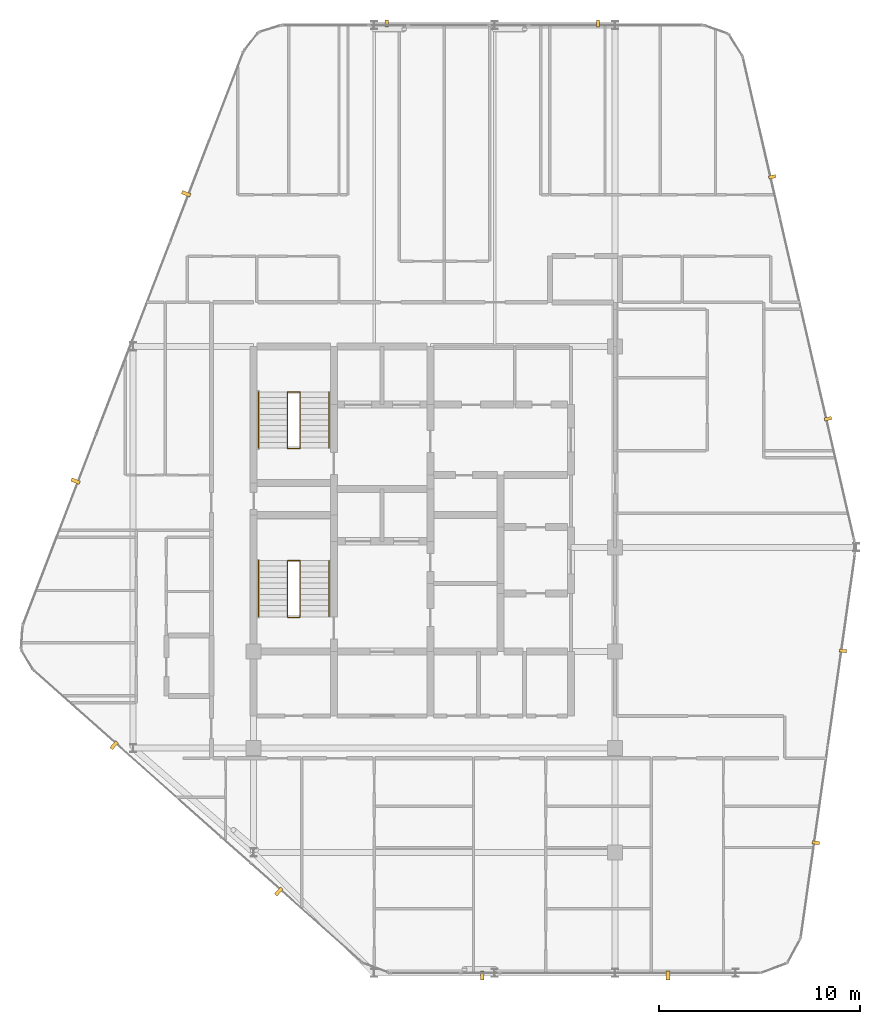
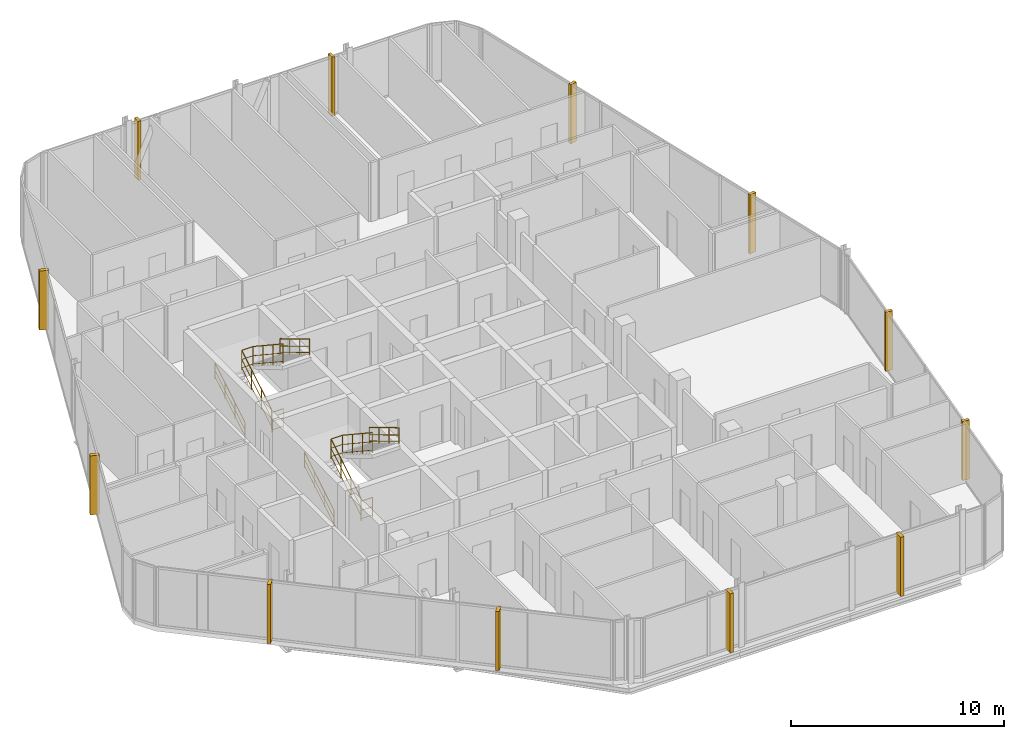
# One storey, part 28 of 28: 12 coverings, 8 railings.
"""IFC4 building model written with IfcOpenShell, lengths in metres."""

from ifc_helpers import new_model, si_unit, direction, frame, origin, origin_2d, place, context, subcontext, project, spatial, rectangle, circle, extrude, material, layer, layer_set, type_object, element, save


model = new_model("IFC4")

# Units and contexts
model_context = context("Model", 3, precision=1e-05, world=origin(), true_north=direction((0.0, 1.0)))
body_context = subcontext(model_context, "Body", "Model", "MODEL_VIEW")
ifc_project = project(units=[si_unit("LENGTHUNIT", "METRE"), si_unit("AREAUNIT", "SQUARE_METRE"), si_unit("VOLUMEUNIT", "CUBIC_METRE"), si_unit("PLANEANGLEUNIT", "RADIAN"), si_unit("MASSUNIT", "GRAM", prefix="KILO")], contexts=[model_context])

# Site, building, storey
site_placement = place(None, origin())
site = spatial("IfcSite", under=ifc_project, at=site_placement, CompositionType="ELEMENT")
building_placement = place(site_placement, origin())
building = spatial("IfcBuilding", under=site, at=building_placement, Name="Keshet Zoharim Tower", CompositionType="ELEMENT")
storey_placement = place(building_placement, frame((0.0, 0.0, 258.39990234375)))
storey = spatial("IfcBuildingStorey", under=building, at=storey_placement, Name="L64", CompositionType="ELEMENT", Elevation=258.39990234375)

# Coverings
ifc_material_1 = material(Name="Concrete C50/60 precast", Category="concrete")
covering_type_1 = type_object("IfcCoveringType", Name="FIN-SOL-360", PredefinedType="CLADDING", material=ifc_material_1)
for number, where, z_axis, x_axis, name in (
    (1, (21.633056640625, 53.97998046875, 0.0), (0.0, 0.0, 1.0), (1.0, 0.0, 0.0), "L64 Vertical Precast Solar Fin 03"),
    (2, (32.14990234375, 53.97998046875, 0.0), (0.0, 0.0, 1.0), (1.0, 0.0, 0.0), "L64 Vertical Precast Solar Fin 04"),
    (3, (40.824951171875, 46.345947265625, 0.0), (0.0, 0.0, 1.0), (0.224829963294, -0.974398012932, 0.0), "L64 Vertical Precast Solar Fin 05"),
    (4, (43.60400390625, 34.302001953125, 0.0), (0.0, 0.0, 1.0), (0.224829963294, -0.974398012932, 0.0), "L64 Vertical Precast Solar Fin 06"),
    (5, (44.35107421875, 22.742919921875, 0.0), (0.0, 0.0, 1.0), (-0.140137464177, -0.990132057422, 0.0), "L64 Vertical Precast Solar Fin 07"),
    (6, (42.998046875, 13.18701171875, 0.0), (0.0, 0.0, 1.0), (-0.140137464177, -0.990132057422, 0.0), "L64 Vertical Precast Solar Fin 08"),
):
    element("IfcCovering", number, at=place(storey_placement, frame(where, z_axis=z_axis, x_axis=x_axis)), inside=storey, type_object=covering_type_1, Name=name, PredefinedType="CLADDING", context=body_context, shape_type="SweptSolid", body=[
        extrude(rectangle(XDim=0.159912109375, YDim=0.360107421875, at=origin_2d()), origin(), (0.0, 0.0, 1.0), 3.389892578125),
    ])
covering_type_2 = type_object("IfcCoveringType", Name="FIN-SOL-450", PredefinedType="CLADDING", material=ifc_material_1)
for number, where, z_axis, x_axis, name in (
    (7, (6.133056640625, 31.194091796875, 0.0), (0.0, 0.0, 1.0), (0.358990003907, 0.933341404361, 0.0), "L64 Vertical Precast Solar Fin 01"),
    (8, (11.637939453125, 45.507080078125, 0.0), (0.0, 0.0, 1.0), (0.358990003907, 0.933341404361, 0.0), "L64 Vertical Precast Solar Fin 02"),
    (9, (35.636962890625, 6.574951171875, 0.0), (0.0, 0.0, 1.0), (-1.0, 0.0, 0.0), "L64 Vertical Precast Solar Fin 09"),
    (10, (26.385986328125, 6.574951171875, 0.0), (0.0, 0.0, 1.0), (-1.0, 0.0, 0.0), "L64 Vertical Precast Solar Fin 10"),
    (11, (16.25, 10.7548828125, 0.0), (0.0, 0.0, 1.0), (-0.747411833563, 0.66436100958, 0.0), "L64 Vertical Precast Solar Fin 11"),
    (12, (8.051025390625, 18.04296875, 0.0), (0.0, 0.0, 1.0), (-0.747411833563, 0.66436100958, 0.0), "L64 Vertical Precast Solar Fin 12"),
):
    element("IfcCovering", number, at=place(storey_placement, frame(where, z_axis=z_axis, x_axis=x_axis)), inside=storey, type_object=covering_type_2, Name=name, PredefinedType="CLADDING", context=body_context, shape_type="SweptSolid", body=[
        extrude(rectangle(XDim=0.179931640625, YDim=0.449951171875, at=origin_2d()), origin(), (0.0, 0.0, 1.0), 3.389892578125),
    ])

# Railings
ifc_material_2 = material(Name="Steel S355", Category="steel")
ifc_layer_1 = layer(ifc_material_2, 0.050048828125)
ifc_layer_set_1 = layer_set([ifc_layer_1], Name="Steel S355")
railing_type_1 = type_object("IfcRailingType", Name="RL-HND-092", PredefinedType="HANDRAIL", material=ifc_layer_set_1)
railing_1_placement = place(storey_placement, frame((15.239990234375, 24.43994140625, 0.168212890625)))
element("IfcRailing", 13, at=railing_1_placement, inside=storey, type_object=railing_type_1, Name="L64 ST-01 Flight 1 Wall Handrail", PredefinedType="HANDRAIL", context=body_context, shape_type="SweptSolid", body=[
    extrude(circle(Radius=0.02392578125, at=origin_2d()), frame((0.0, 0.0, 0.89599609375), z_axis=(0.0, 0.857242210791, 0.514913383045), x_axis=(-1.0, 0.0, 0.0)), (0.0, 0.0, 1.0), 3.266357421875),
    extrude(circle(Radius=0.01611328125, at=origin_2d()), frame((0.0, 0.0, 0.478271484375), z_axis=(0.0, 0.857242210791, 0.514913383045), x_axis=(-1.0, 0.0, 0.0)), (0.0, 0.0, 1.0), 3.266357421875),
    extrude(circle(Radius=0.01611328125, at=origin_2d()), frame((0.0, 0.0, 0.1201171875), z_axis=(0.0, 0.857242210791, 0.514913383045), x_axis=(-1.0, 0.0, 0.0)), (0.0, 0.0, 1.0), 3.266357421875),
    extrude(circle(Radius=0.02099609375, at=origin_2d()), origin(), (0.0, 0.0, 1.0), 0.871826171875),
    extrude(circle(Radius=0.02099609375, at=origin_2d()), frame((0.0, 0.933349609375, 0.560546875)), (0.0, 0.0, 1.0), 0.871826171875),
    extrude(circle(Radius=0.02099609375, at=origin_2d()), frame((0.0, 1.86669921875, 1.121337890625)), (0.0, 0.0, 1.0), 0.871826171875),
    extrude(circle(Radius=0.02099609375, at=origin_2d()), frame((0.0, 2.800048828125, 1.681884765625)), (0.0, 0.0, 1.0), 0.871826171875),
])
railing_2_placement = place(storey_placement, frame((18.760009765625, 27.239990234375, 2.018310546875)))
element("IfcRailing", 14, at=railing_2_placement, inside=storey, type_object=railing_type_1, Name="L64 ST-01 Flight 2 Wall Handrail", PredefinedType="HANDRAIL", context=body_context, shape_type="SweptSolid", body=[
    extrude(circle(Radius=0.02392578125, at=origin_2d()), frame((0.0, 0.0, 0.89599609375), z_axis=(0.0, -0.857242210791, 0.514913383045), x_axis=(1.0, 0.0, 0.0)), (0.0, 0.0, 1.0), 3.266357421875),
    extrude(circle(Radius=0.01611328125, at=origin_2d()), frame((0.0, 0.0, 0.478271484375), z_axis=(0.0, -0.857242210791, 0.514913383045), x_axis=(1.0, 0.0, 0.0)), (0.0, 0.0, 1.0), 3.266357421875),
    extrude(circle(Radius=0.01611328125, at=origin_2d()), frame((0.0, 0.0, 0.1201171875), z_axis=(0.0, -0.857242210791, 0.514913383045), x_axis=(1.0, 0.0, 0.0)), (0.0, 0.0, 1.0), 3.266357421875),
    extrude(circle(Radius=0.02099609375, at=origin_2d()), origin(), (0.0, 0.0, 1.0), 0.871826171875),
    extrude(circle(Radius=0.02099609375, at=origin_2d()), frame((0.0, -0.933349609375, 0.560546875)), (0.0, 0.0, 1.0), 0.871826171875),
    extrude(circle(Radius=0.02099609375, at=origin_2d()), frame((0.0, -1.86669921875, 1.121337890625)), (0.0, 0.0, 1.0), 0.871826171875),
    extrude(circle(Radius=0.02099609375, at=origin_2d()), frame((0.0, -2.800048828125, 1.681884765625)), (0.0, 0.0, 1.0), 0.871826171875),
])
railing_3_placement = place(storey_placement, frame((15.239990234375, 32.840087890625, 0.168212890625)))
element("IfcRailing", 15, at=railing_3_placement, inside=storey, type_object=railing_type_1, Name="L64 ST-02 Flight 1 Wall Handrail", PredefinedType="HANDRAIL", context=body_context, shape_type="SweptSolid", body=[
    extrude(circle(Radius=0.02392578125, at=origin_2d()), frame((0.0, 0.0, 0.89599609375), z_axis=(0.0, 0.857222391501, 0.514946377315), x_axis=(-1.0, 0.0, 0.0)), (0.0, 0.0, 1.0), 3.26611328125),
    extrude(circle(Radius=0.01611328125, at=origin_2d()), frame((0.0, 0.0, 0.478271484375), z_axis=(0.0, 0.857222391501, 0.514946377315), x_axis=(-1.0, 0.0, 0.0)), (0.0, 0.0, 1.0), 3.26611328125),
    extrude(circle(Radius=0.01611328125, at=origin_2d()), frame((0.0, 0.0, 0.1201171875), z_axis=(0.0, 0.857222391501, 0.514946377315), x_axis=(-1.0, 0.0, 0.0)), (0.0, 0.0, 1.0), 3.26611328125),
    extrude(circle(Radius=0.02099609375, at=origin_2d()), origin(), (0.0, 0.0, 1.0), 0.871826171875),
    extrude(circle(Radius=0.02099609375, at=origin_2d()), frame((0.0, 0.933349609375, 0.560546875)), (0.0, 0.0, 1.0), 0.871826171875),
    extrude(circle(Radius=0.02099609375, at=origin_2d()), frame((0.0, 1.866455078125, 1.121337890625)), (0.0, 0.0, 1.0), 0.871826171875),
    extrude(circle(Radius=0.02099609375, at=origin_2d()), frame((0.0, 2.7998046875, 1.681884765625)), (0.0, 0.0, 1.0), 0.871826171875),
])
railing_4_placement = place(storey_placement, frame((18.760009765625, 35.639892578125, 2.018310546875)))
element("IfcRailing", 16, at=railing_4_placement, inside=storey, type_object=railing_type_1, Name="L64 ST-02 Flight 2 Wall Handrail", PredefinedType="HANDRAIL", context=body_context, shape_type="SweptSolid", body=[
    extrude(circle(Radius=0.02392578125, at=origin_2d()), frame((0.0, 0.0, 0.89599609375), z_axis=(0.0, -0.857222391501, 0.514946377315), x_axis=(1.0, 0.0, 0.0)), (0.0, 0.0, 1.0), 3.26611328125),
    extrude(circle(Radius=0.01611328125, at=origin_2d()), frame((0.0, 0.0, 0.478271484375), z_axis=(0.0, -0.857222391501, 0.514946377315), x_axis=(1.0, 0.0, 0.0)), (0.0, 0.0, 1.0), 3.26611328125),
    extrude(circle(Radius=0.01611328125, at=origin_2d()), frame((0.0, 0.0, 0.1201171875), z_axis=(0.0, -0.857222391501, 0.514946377315), x_axis=(1.0, 0.0, 0.0)), (0.0, 0.0, 1.0), 3.26611328125),
    extrude(circle(Radius=0.02099609375, at=origin_2d()), origin(), (0.0, 0.0, 1.0), 0.871826171875),
    extrude(circle(Radius=0.02099609375, at=origin_2d()), frame((0.0, -0.933349609375, 0.560546875)), (0.0, 0.0, 1.0), 0.871826171875),
    extrude(circle(Radius=0.02099609375, at=origin_2d()), frame((0.0, -1.866455078125, 1.121337890625)), (0.0, 0.0, 1.0), 0.871826171875),
    extrude(circle(Radius=0.02099609375, at=origin_2d()), frame((0.0, -2.7998046875, 1.681884765625)), (0.0, 0.0, 1.0), 0.871826171875),
])
ifc_layer_2 = layer(ifc_material_2, 0.06005859375)
ifc_layer_set_2 = layer_set([ifc_layer_2], Name="Steel S355")
railing_type_2 = type_object("IfcRailingType", Name="RL-STG-115", PredefinedType="GUARDRAIL", material=ifc_layer_set_2)
railing_5_placement = place(storey_placement, frame((16.68994140625, 24.43994140625, 0.168212890625)))
element("IfcRailing", 17, at=railing_5_placement, inside=storey, type_object=railing_type_2, Name="L64 ST-01 Inner Well Guardrail", PredefinedType="GUARDRAIL", context=body_context, shape_type="SweptSolid", body=[
    extrude(circle(Radius=0.02392578125, at=origin_2d()), frame((0.0, 0.0, 1.1259765625), z_axis=(0.0, 0.857242210791, 0.514913383045), x_axis=(-1.0, 0.0, 0.0)), (0.0, 0.0, 1.0), 3.266357421875),
    extrude(circle(Radius=0.01611328125, at=origin_2d()), frame((0.0, 0.0, 0.597900390625), z_axis=(0.0, 0.857242210791, 0.514913383045), x_axis=(-1.0, 0.0, 0.0)), (0.0, 0.0, 1.0), 3.266357421875),
    extrude(circle(Radius=0.01611328125, at=origin_2d()), frame((0.0, 0.0, 0.1201171875), z_axis=(0.0, 0.857242210791, 0.514913383045), x_axis=(-1.0, 0.0, 0.0)), (0.0, 0.0, 1.0), 3.266357421875),
    extrude(circle(Radius=0.02392578125, at=origin_2d()), frame((0.0, 2.800048828125, 2.8076171875), z_axis=(1.0, 0.0, 0.0), x_axis=(0.0, 1.0, 0.0)), (0.0, 0.0, 1.0), 0.6201171875),
    extrude(circle(Radius=0.01611328125, at=origin_2d()), frame((0.0, 2.800048828125, 2.27978515625), z_axis=(1.0, 0.0, 0.0), x_axis=(0.0, 1.0, 0.0)), (0.0, 0.0, 1.0), 0.6201171875),
    extrude(circle(Radius=0.01611328125, at=origin_2d()), frame((0.0, 2.800048828125, 1.802001953125), z_axis=(1.0, 0.0, 0.0), x_axis=(0.0, 1.0, 0.0)), (0.0, 0.0, 1.0), 0.6201171875),
    extrude(circle(Radius=0.02392578125, at=origin_2d()), frame((0.6201171875, 2.800048828125, 2.8076171875), z_axis=(0.0, -0.834326358476, 0.551270829586), x_axis=(1.0, 0.0, 0.0)), (0.0, 0.0, 1.0), 3.35595703125),
    extrude(circle(Radius=0.01611328125, at=origin_2d()), frame((0.6201171875, 2.800048828125, 2.27978515625), z_axis=(0.0, -0.834326358476, 0.551270829586), x_axis=(1.0, 0.0, 0.0)), (0.0, 0.0, 1.0), 3.35595703125),
    extrude(circle(Radius=0.01611328125, at=origin_2d()), frame((0.6201171875, 2.800048828125, 1.802001953125), z_axis=(0.0, -0.834326358476, 0.551270829586), x_axis=(1.0, 0.0, 0.0)), (0.0, 0.0, 1.0), 3.35595703125),
    extrude(circle(Radius=0.02099609375, at=origin_2d()), origin(), (0.0, 0.0, 1.0), 1.101806640625),
    extrude(circle(Radius=0.02099609375, at=origin_2d()), frame((0.0, 0.933349609375, 0.560546875)), (0.0, 0.0, 1.0), 1.101806640625),
    extrude(circle(Radius=0.02099609375, at=origin_2d()), frame((0.0, 1.86669921875, 1.121337890625)), (0.0, 0.0, 1.0), 1.101806640625),
    extrude(circle(Radius=0.02099609375, at=origin_2d()), frame((0.0, 2.800048828125, 1.681884765625)), (0.0, 0.0, 1.0), 1.101806640625),
    extrude(circle(Radius=0.02099609375, at=origin_2d()), frame((0.6201171875, 2.800048828125, 1.681884765625)), (0.0, 0.0, 1.0), 1.101806640625),
    extrude(circle(Radius=0.02099609375, at=origin_2d()), frame((0.6201171875, 1.86669921875, 2.298583984375)), (0.0, 0.0, 1.0), 1.101806640625),
    extrude(circle(Radius=0.02099609375, at=origin_2d()), frame((0.6201171875, 0.933349609375, 2.915283203125)), (0.0, 0.0, 1.0), 1.101806640625),
    extrude(circle(Radius=0.02099609375, at=origin_2d()), frame((0.6201171875, 0.0, 3.531982421875)), (0.0, 0.0, 1.0), 1.101806640625),
])
railing_6_placement = place(storey_placement, frame((16.68994140625, 24.409912109375, 0.0)))
element("IfcRailing", 18, at=railing_6_placement, inside=storey, type_object=railing_type_2, Name="L64 ST-01 Stairwell Floor Guardrail", PredefinedType="GUARDRAIL", context=body_context, shape_type="SweptSolid", body=[
    extrude(circle(Radius=0.02392578125, at=origin_2d()), frame((0.0, 0.0, 1.1259765625), z_axis=(1.0, 0.0, 0.0), x_axis=(0.0, 1.0, 0.0)), (0.0, 0.0, 1.0), 0.6201171875),
    extrude(circle(Radius=0.01611328125, at=origin_2d()), frame((0.0, 0.0, 0.597900390625), z_axis=(1.0, 0.0, 0.0), x_axis=(0.0, 1.0, 0.0)), (0.0, 0.0, 1.0), 0.6201171875),
    extrude(circle(Radius=0.01611328125, at=origin_2d()), frame((0.0, 0.0, 0.1201171875), z_axis=(1.0, 0.0, 0.0), x_axis=(0.0, 1.0, 0.0)), (0.0, 0.0, 1.0), 0.6201171875),
    extrude(circle(Radius=0.02099609375, at=origin_2d()), origin(), (0.0, 0.0, 1.0), 1.101806640625),
    extrude(circle(Radius=0.02099609375, at=origin_2d()), frame((0.6201171875, 0.0, 0.0)), (0.0, 0.0, 1.0), 1.101806640625),
])
railing_7_placement = place(storey_placement, frame((16.68994140625, 32.840087890625, 0.168212890625)))
element("IfcRailing", 19, at=railing_7_placement, inside=storey, type_object=railing_type_2, Name="L64 ST-02 Inner Well Guardrail", PredefinedType="GUARDRAIL", context=body_context, shape_type="SweptSolid", body=[
    extrude(circle(Radius=0.02392578125, at=origin_2d()), frame((0.0, 0.0, 1.1259765625), z_axis=(0.0, 0.857222391501, 0.514946377315), x_axis=(-1.0, 0.0, 0.0)), (0.0, 0.0, 1.0), 3.26611328125),
    extrude(circle(Radius=0.01611328125, at=origin_2d()), frame((0.0, 0.0, 0.597900390625), z_axis=(0.0, 0.857222391501, 0.514946377315), x_axis=(-1.0, 0.0, 0.0)), (0.0, 0.0, 1.0), 3.26611328125),
    extrude(circle(Radius=0.01611328125, at=origin_2d()), frame((0.0, 0.0, 0.1201171875), z_axis=(0.0, 0.857222391501, 0.514946377315), x_axis=(-1.0, 0.0, 0.0)), (0.0, 0.0, 1.0), 3.26611328125),
    extrude(circle(Radius=0.02392578125, at=origin_2d()), frame((0.0, 2.7998046875, 2.8076171875), z_axis=(1.0, 0.0, 0.0), x_axis=(0.0, 1.0, 0.0)), (0.0, 0.0, 1.0), 0.6201171875),
    extrude(circle(Radius=0.01611328125, at=origin_2d()), frame((0.0, 2.7998046875, 2.27978515625), z_axis=(1.0, 0.0, 0.0), x_axis=(0.0, 1.0, 0.0)), (0.0, 0.0, 1.0), 0.6201171875),
    extrude(circle(Radius=0.01611328125, at=origin_2d()), frame((0.0, 2.7998046875, 1.802001953125), z_axis=(1.0, 0.0, 0.0), x_axis=(0.0, 1.0, 0.0)), (0.0, 0.0, 1.0), 0.6201171875),
    extrude(circle(Radius=0.02392578125, at=origin_2d()), frame((0.6201171875, 2.7998046875, 2.8076171875), z_axis=(0.0, -0.834304248922, 0.551304290053), x_axis=(1.0, 0.0, 0.0)), (0.0, 0.0, 1.0), 3.35595703125),
    extrude(circle(Radius=0.01611328125, at=origin_2d()), frame((0.6201171875, 2.7998046875, 2.27978515625), z_axis=(0.0, -0.834304248922, 0.551304290053), x_axis=(1.0, 0.0, 0.0)), (0.0, 0.0, 1.0), 3.35595703125),
    extrude(circle(Radius=0.01611328125, at=origin_2d()), frame((0.6201171875, 2.7998046875, 1.802001953125), z_axis=(0.0, -0.834304248922, 0.551304290053), x_axis=(1.0, 0.0, 0.0)), (0.0, 0.0, 1.0), 3.35595703125),
    extrude(circle(Radius=0.02099609375, at=origin_2d()), origin(), (0.0, 0.0, 1.0), 1.101806640625),
    extrude(circle(Radius=0.02099609375, at=origin_2d()), frame((0.0, 0.933349609375, 0.560546875)), (0.0, 0.0, 1.0), 1.101806640625),
    extrude(circle(Radius=0.02099609375, at=origin_2d()), frame((0.0, 1.866455078125, 1.121337890625)), (0.0, 0.0, 1.0), 1.101806640625),
    extrude(circle(Radius=0.02099609375, at=origin_2d()), frame((0.0, 2.7998046875, 1.681884765625)), (0.0, 0.0, 1.0), 1.101806640625),
    extrude(circle(Radius=0.02099609375, at=origin_2d()), frame((0.6201171875, 2.7998046875, 1.681884765625)), (0.0, 0.0, 1.0), 1.101806640625),
    extrude(circle(Radius=0.02099609375, at=origin_2d()), frame((0.6201171875, 1.866455078125, 2.298583984375)), (0.0, 0.0, 1.0), 1.101806640625),
    extrude(circle(Radius=0.02099609375, at=origin_2d()), frame((0.6201171875, 0.933349609375, 2.915283203125)), (0.0, 0.0, 1.0), 1.101806640625),
    extrude(circle(Radius=0.02099609375, at=origin_2d()), frame((0.6201171875, 0.0, 3.531982421875)), (0.0, 0.0, 1.0), 1.101806640625),
])
railing_8_placement = place(storey_placement, frame((16.68994140625, 32.81005859375, 0.0)))
element("IfcRailing", 20, at=railing_8_placement, inside=storey, type_object=railing_type_2, Name="L64 ST-02 Stairwell Floor Guardrail", PredefinedType="GUARDRAIL", context=body_context, shape_type="SweptSolid", body=[
    extrude(circle(Radius=0.02392578125, at=origin_2d()), frame((0.0, 0.0, 1.1259765625), z_axis=(1.0, 0.0, 0.0), x_axis=(0.0, 1.0, 0.0)), (0.0, 0.0, 1.0), 0.6201171875),
    extrude(circle(Radius=0.01611328125, at=origin_2d()), frame((0.0, 0.0, 0.597900390625), z_axis=(1.0, 0.0, 0.0), x_axis=(0.0, 1.0, 0.0)), (0.0, 0.0, 1.0), 0.6201171875),
    extrude(circle(Radius=0.01611328125, at=origin_2d()), frame((0.0, 0.0, 0.1201171875), z_axis=(1.0, 0.0, 0.0), x_axis=(0.0, 1.0, 0.0)), (0.0, 0.0, 1.0), 0.6201171875),
    extrude(circle(Radius=0.02099609375, at=origin_2d()), origin(), (0.0, 0.0, 1.0), 1.101806640625),
    extrude(circle(Radius=0.02099609375, at=origin_2d()), frame((0.6201171875, 0.0, 0.0)), (0.0, 0.0, 1.0), 1.101806640625),
])

save(model, "model.ifc")
